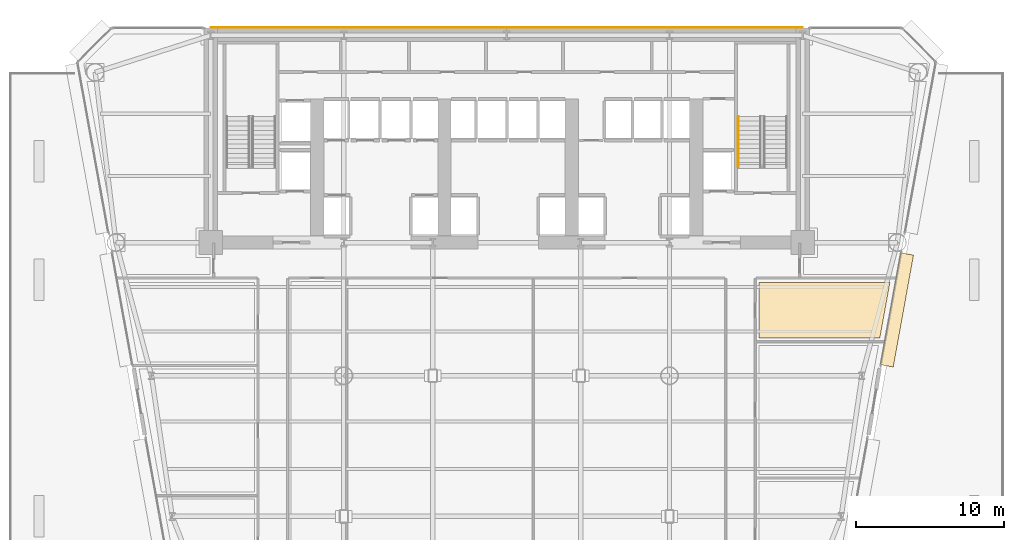
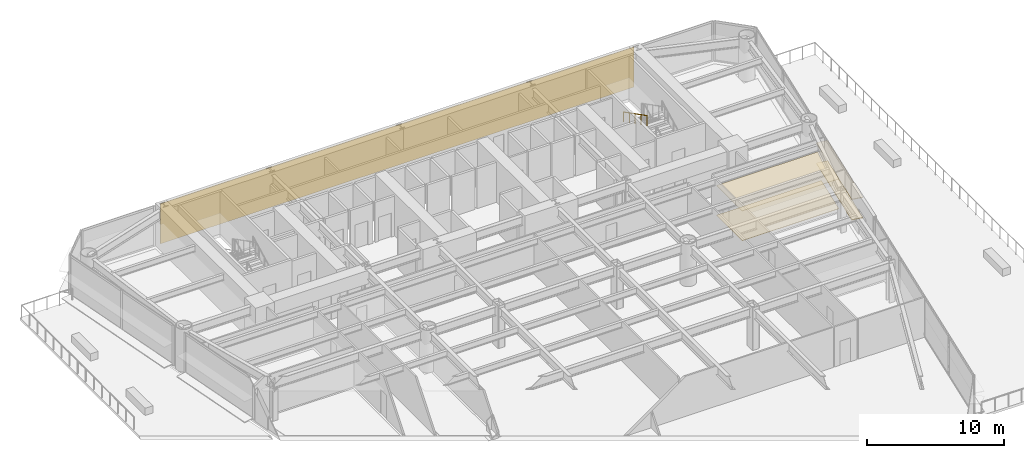
# One storey, part 13 of 14: 5 coverings, 1 railing.
"""IFC4 building model written with IfcOpenShell, lengths in metres."""

from ifc_helpers import new_model, si_unit, direction, frame, origin, origin_2d, place, context, subcontext, project, spatial, polyline, rectangle, circle, outline, extrude, source, transform, mapped, material, layer, layer_set, type_object, element, save


model = new_model("IFC4")

# Units and contexts
model_context = context("Model", 3, precision=1e-05, world=origin(), true_north=direction((0.0, 1.0)))
body_context = subcontext(model_context, "Body", "Model", "MODEL_VIEW")
ifc_project = project(units=[si_unit("LENGTHUNIT", "METRE"), si_unit("AREAUNIT", "SQUARE_METRE"), si_unit("VOLUMEUNIT", "CUBIC_METRE"), si_unit("PLANEANGLEUNIT", "RADIAN"), si_unit("MASSUNIT", "GRAM", prefix="KILO")], contexts=[model_context])

# Site, building, storey
site_placement = place(None, origin())
site = spatial("IfcSite", under=ifc_project, at=site_placement, CompositionType="ELEMENT")
building_placement = place(site_placement, origin())
building = spatial("IfcBuilding", under=site, at=building_placement, Name="Vaeldorn Concourse Tower", CompositionType="ELEMENT")
storey_placement = place(building_placement, frame((0.0, 0.0, 18.800048828125)))
storey = spatial("IfcBuildingStorey", under=building, at=storey_placement, Name="L04", CompositionType="ELEMENT", Elevation=18.800048828125)

# Coverings
ifc_material_1 = material(Name="Acoustic Mineral Fibre Board", Category="gypsum")
ifc_layer_1 = layer(ifc_material_1, 0.0400390625)
ifc_layer_set_1 = layer_set([ifc_layer_1], Name="Acoustic Mineral Fibre Board")
covering_type_1 = type_object("IfcCoveringType", Name="COV-CEIL-ACOUSTIC", PredefinedType="CEILING", material=ifc_layer_set_1)
covering_1_placement = place(storey_placement, frame((0.0, 0.0, 2.64990234375)))
element("IfcCovering", 1, at=covering_1_placement, inside=storey, type_object=covering_type_1, Name="Suspended Acoustic Ceiling L04-11", PredefinedType="CEILING", context=body_context, shape_type="SweptSolid", body=[
    extrude(outline(polyline([(51.0400390625, 30.0400390625), (51.0400390625, 33.800048828125), (59.89111328125, 33.800048828125), (59.209228515625, 30.0400390625), (51.0400390625, 30.0400390625)])), origin(), (0.0, 0.0, 1.0), 0.0400390625),
])
ifc_material_2 = material(Name="Anodised Bronze Aluminium", Category="aluminium")
ifc_layer_2 = layer(ifc_material_2, 0.050048828125)
ifc_layer_set_2 = layer_set([ifc_layer_2], Name="Anodised Bronze Aluminium")
covering_type_2 = type_object("IfcCoveringType", Name="COV-CLAD-BRONZE", PredefinedType="CLADDING", material=ifc_layer_set_2)
covering_2_placement = place(storey_placement, origin())
element("IfcCovering", 2, at=covering_2_placement, inside=storey, type_object=covering_type_2, Name="Rear Core Bronze Spandrel Cladding L04", PredefinedType="CLADDING", context=body_context, shape_type="SweptSolid", body=[
    extrude(outline(polyline([(14.0, 51.0), (54.0, 51.0), (54.0, 51.050048828125), (14.0, 51.050048828125), (14.0, 51.0)])), origin(), (0.0, 0.0, 1.0), 3.579833984375),
])
ifc_material_3 = material(Name="Honed Limestone Terrazzo Flooring", Category="masonry")
ifc_layer_3 = layer(ifc_material_3, 0.0400390625)
ifc_layer_set_3 = layer_set([ifc_layer_3], Name="Honed Limestone Terrazzo Flooring")
covering_type_3 = type_object("IfcCoveringType", Name="COV-FLOOR-STONE", PredefinedType="FLOORING", material=ifc_layer_set_3)
covering_3_placement = place(storey_placement, origin())
element("IfcCovering", 3, at=covering_3_placement, inside=storey, type_object=covering_type_3, Name="Floor Finish Covering L04-11", PredefinedType="FLOORING", context=body_context, shape_type="SweptSolid", body=[
    extrude(outline(polyline([(51.0400390625, 30.0400390625), (51.0400390625, 33.800048828125), (59.89111328125, 33.800048828125), (59.209228515625, 30.0400390625), (51.0400390625, 30.0400390625)])), origin(), (0.0, 0.0, 1.0), 0.030029296875),
])

# Railing
railing_type = type_object("IfcRailingType", Name="RL-STAIR-HANDRAIL", PredefinedType="HANDRAIL", material=ifc_material_2)
railing_placement = place(storey_placement, frame((49.64990234375, 45.010009765625, 2.058349609375)))
element("IfcRailing", 4, at=railing_placement, inside=storey, type_object=railing_type, Name="L04 ST-2 stair handrail 2", PredefinedType="HANDRAIL", context=body_context, shape_type="SweptSolid", body=[
    extrude(circle(Radius=0.02392578125, at=origin_2d()), frame((0.0, 0.0, 0.8759765625), z_axis=(0.0, -0.890555807335, 0.454873997962), x_axis=(1.0, 0.0, 0.0)), (0.0, 0.0, 1.0), 3.828857421875),
    extrude(circle(Radius=0.02099609375, at=origin_2d()), origin(), (0.0, 0.0, 1.0), 0.851806640625),
    extrude(circle(Radius=0.02099609375, at=origin_2d()), frame((0.0, -0.8525390625, 0.435546875)), (0.0, 0.0, 1.0), 0.851806640625),
    extrude(circle(Radius=0.02099609375, at=origin_2d()), frame((0.0, -1.705078125, 0.870849609375)), (0.0, 0.0, 1.0), 0.851806640625),
    extrude(circle(Radius=0.02099609375, at=origin_2d()), frame((0.0, -2.557373046875, 1.30615234375)), (0.0, 0.0, 1.0), 0.851806640625),
    extrude(circle(Radius=0.02099609375, at=origin_2d()), frame((0.0, -3.409912109375, 1.74169921875)), (0.0, 0.0, 1.0), 0.851806640625),
])

# Coverings
ifc_layer_4 = layer(ifc_material_2, 0.06494140625)
ifc_layer_set_4 = layer_set([ifc_layer_4], Name="Anodised Bronze Aluminium")
covering_type_4 = type_object("IfcCoveringType", Name="SD-BRONZE-SUNSHADE", PredefinedType="USERDEFINED", material=ifc_layer_set_4)
shared_shape = source(origin(), body_context, "Body", "SweptSolid", [
    extrude(rectangle(XDim=7.68115234375, YDim=0.8798828125, at=origin_2d()), origin(), (0.0, 0.0, 1.0), 0.06494140625),
])
for number, where, z_axis, x_axis, name in (
    (5, (60.369140625, 31.951416015625, 0.04736328125), (0.0, 0.0, 1.0), (0.178441590414, 0.983950506281, 0.0), "Horizontal Bronze Sunshade L04-E07.2.1"),
    (6, (60.369140625, 31.951416015625, 1.867431640625), (0.0, 0.0, 1.0), (0.178441590414, 0.983950506281, 0.0), "Horizontal Bronze Sunshade L04-E07.2.2"),
):
    element("IfcCovering", number, at=place(storey_placement, frame(where, z_axis=z_axis, x_axis=x_axis)), inside=storey, type_object=covering_type_4, Name=name, ObjectType="SUNSHADE", PredefinedType="USERDEFINED", context=body_context, shape_type="MappedRepresentation", body=[
        mapped(shared_shape, transform((0.0, 0.0, 0.0), scale=1.0)),
    ])

save(model, "model.ifc")
